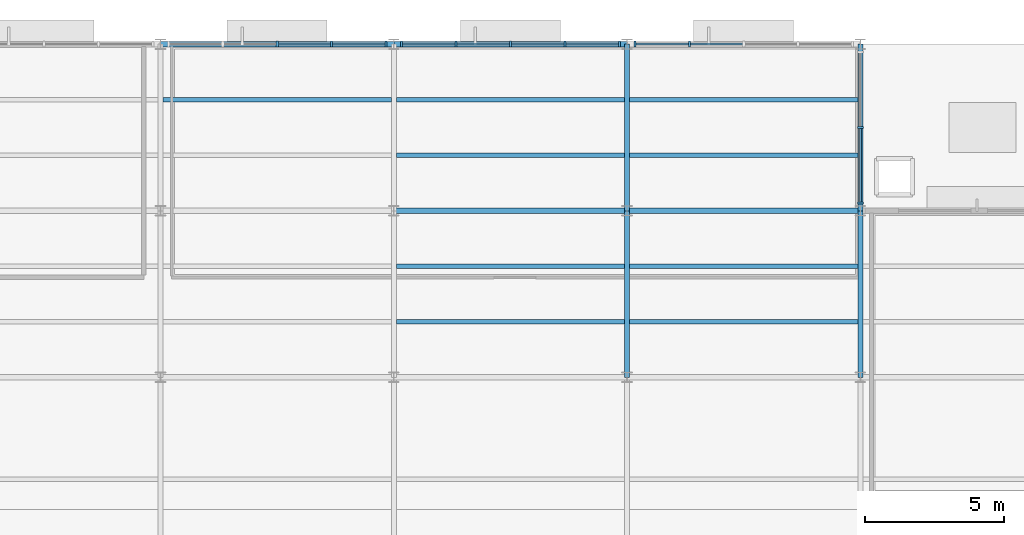
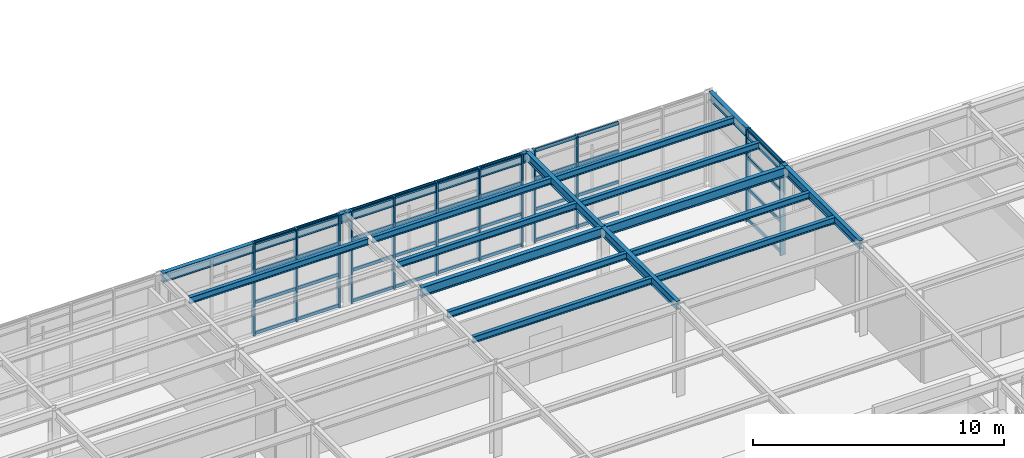
# One storey, part 36 of 82: 48 members, 17 beams, 4 elements without a shape of their own.
"""IFC4 building model written with IfcOpenShell, lengths in metres."""

from ifc_helpers import new_model, si_unit, direction, frame, origin, origin_2d, place, context, subcontext, project, spatial, rectangle, i_section, extrude, material, layer, layer_set, material_profile, profile_set, type_object, element, aggregate, save


model = new_model("IFC4")

# Units and contexts
model_context = context("Model", 3, precision=1e-05, world=origin(), true_north=direction((0.0, 1.0)))
body_context = subcontext(model_context, "Body", "Model", "MODEL_VIEW")
ifc_project = project(units=[si_unit("LENGTHUNIT", "METRE"), si_unit("AREAUNIT", "SQUARE_METRE"), si_unit("VOLUMEUNIT", "CUBIC_METRE"), si_unit("PLANEANGLEUNIT", "RADIAN"), si_unit("MASSUNIT", "GRAM", prefix="KILO")], contexts=[model_context])

# Site, building, storey
site_placement = place(None, origin())
site = spatial("IfcSite", under=ifc_project, at=site_placement, CompositionType="ELEMENT")
building_placement = place(site_placement, origin())
building = spatial("IfcBuilding", under=site, at=building_placement, Name="Sitalva Quay Ferry Terminal", CompositionType="ELEMENT")
storey_placement = place(building_placement, frame((0.0, 0.0, 5.39990234375)))
storey = spatial("IfcBuildingStorey", under=building, at=storey_placement, Name="L02", CompositionType="ELEMENT", Elevation=5.39990234375)

# Beams
ifc_material_1 = material(Name="Structural Steel S355JR", Category="steel")
ifc_material_profile_1 = material_profile(ifc_material_1, i_section(OverallWidth=0.180908203125, OverallDepth=0.4169921875, WebThickness=0.010986328125, FlangeThickness=0.018310546875, FilletRadius=0.012939453125, at=origin_2d()), Name="W410x85")
ifc_profile_set_1 = profile_set([ifc_material_profile_1], Name="Structural Steel S355JR")
beam_type_1 = type_object("IfcBeamType", Name="Beam_W410x85", PredefinedType="BEAM", material=ifc_profile_set_1)
for number, where, z_axis, x_axis, name in (
    (1, (109.199951171875, 100.0, 4.29150390625), (0.0, 1.0, 0.0), (-1.0, 0.0, 0.0), "L02 Primary Y girder 1032"),
    (2, (117.60009765625, 100.0, 4.29150390625), (0.0, 1.0, 0.0), (-1.0, 0.0, 0.0), "L02 Primary Y girder 1035"),
    (3, (109.199951171875, 106.0, 4.29150390625), (0.0, 1.0, 0.0), (-1.0, 0.0, 0.0), "L02 Primary Y girder 1173"),
    (4, (117.60009765625, 106.0, 4.29150390625), (0.0, 1.0, 0.0), (-1.0, 0.0, 0.0), "L02 Primary Y girder 1174"),
):
    element("IfcBeam", number, at=place(storey_placement, frame(where, z_axis=z_axis, x_axis=x_axis)), inside=storey, type_object=beam_type_1, Name=name, PredefinedType="BEAM", context=body_context, shape_type="SweptSolid", body=[
        extrude(i_section(OverallWidth=0.180908203125, OverallDepth=0.4169921875, WebThickness=0.010986328125, FlangeThickness=0.018310546875, FilletRadius=0.012939453125, at=origin_2d()), origin(), (0.0, 0.0, 1.0), 6.0),
    ])
ifc_material_2 = material(Name="Structural Steel S355JR", Category="steel")
ifc_material_profile_2 = material_profile(ifc_material_2, i_section(OverallWidth=0.19091796875, OverallDepth=0.4599609375, WebThickness=0.010009765625, FlangeThickness=0.01611328125, FilletRadius=0.013916015625, at=origin_2d()), Name="W460x82")
ifc_profile_set_2 = profile_set([ifc_material_profile_2], Name="Structural Steel S355JR")
beam_type_2 = type_object("IfcBeamType", Name="Beam_W460x82", PredefinedType="BEAM", material=ifc_profile_set_2)
beam_1_placement = place(storey_placement, frame((100.800048828125, 106.0, 4.27001953125), z_axis=(1.0, 0.0, 0.0), x_axis=(0.0, 1.0, 0.0)))
element("IfcBeam", 5, at=beam_1_placement, inside=storey, type_object=beam_type_2, Name="L02 Primary X girder 1015", PredefinedType="BEAM", context=body_context, shape_type="SweptSolid", body=[
    extrude(i_section(OverallWidth=0.19091796875, OverallDepth=0.4599609375, WebThickness=0.010009765625, FlangeThickness=0.01611328125, FilletRadius=0.013916015625, at=origin_2d()), origin(), (0.0, 0.0, 1.0), 8.39990234375),
])
for number, where, z_axis, x_axis, name in (
    (6, (109.199951171875, 106.0, 4.27001953125), (1.0, 0.0, 0.0), (0.0, 1.0, 0.0), "L02 Primary X girder 1016"),
    (7, (92.39990234375, 112.0, 4.27001953125), (1.0, 0.0, 0.0), (0.0, 1.0, 0.0), "L02 Primary X girder 1167"),
):
    element("IfcBeam", number, at=place(storey_placement, frame(where, z_axis=z_axis, x_axis=x_axis)), inside=storey, type_object=beam_type_2, Name=name, PredefinedType="BEAM", context=body_context, shape_type="SweptSolid", body=[
        extrude(i_section(OverallWidth=0.19091796875, OverallDepth=0.4599609375, WebThickness=0.010009765625, FlangeThickness=0.01611328125, FilletRadius=0.013916015625, at=origin_2d()), origin(), (0.0, 0.0, 1.0), 8.400146484375),
    ])
beam_2_placement = place(storey_placement, frame((100.800048828125, 112.0, 4.27001953125), z_axis=(1.0, 0.0, 0.0), x_axis=(0.0, 1.0, 0.0)))
element("IfcBeam", 8, at=beam_2_placement, inside=storey, type_object=beam_type_2, Name="L02 Primary X girder 1168", PredefinedType="BEAM", context=body_context, shape_type="SweptSolid", body=[
    extrude(i_section(OverallWidth=0.19091796875, OverallDepth=0.4599609375, WebThickness=0.010009765625, FlangeThickness=0.01611328125, FilletRadius=0.013916015625, at=origin_2d()), origin(), (0.0, 0.0, 1.0), 8.39990234375),
])
ifc_material_3 = material(Name="Structural Steel S355JR", Category="steel")
ifc_material_profile_3 = material_profile(ifc_material_3, i_section(OverallWidth=0.166015625, OverallDepth=0.31298828125, WebThickness=0.006591796875, FlangeThickness=0.01123046875, FilletRadius=0.010986328125, at=origin_2d()), Name="W310x45")
ifc_profile_set_3 = profile_set([ifc_material_profile_3], Name="Structural Steel S355JR")
beam_type_3 = type_object("IfcBeamType", Name="Joist_W310x45", PredefinedType="JOIST", material=ifc_profile_set_3)
beam_3_placement = place(storey_placement, frame((100.890380859375, 102.0, 4.343505859375), z_axis=(1.0, 0.0, 0.0), x_axis=(0.0, 1.0, 0.0)))
element("IfcBeam", 9, at=beam_3_placement, inside=storey, type_object=beam_type_3, Name="L02 Secondary joist 1060", PredefinedType="JOIST", context=body_context, shape_type="SweptSolid", body=[
    extrude(i_section(OverallWidth=0.166015625, OverallDepth=0.31298828125, WebThickness=0.006591796875, FlangeThickness=0.01123046875, FilletRadius=0.010986328125, at=origin_2d()), origin(), (0.0, 0.0, 1.0), 8.21923828125),
])
beam_4_placement = place(storey_placement, frame((109.29052734375, 102.0, 4.343505859375), z_axis=(1.0, 0.0, 0.0), x_axis=(0.0, 1.0, 0.0)))
element("IfcBeam", 10, at=beam_4_placement, inside=storey, type_object=beam_type_3, Name="L02 Secondary joist 1061", PredefinedType="JOIST", context=body_context, shape_type="SweptSolid", body=[
    extrude(i_section(OverallWidth=0.166015625, OverallDepth=0.31298828125, WebThickness=0.006591796875, FlangeThickness=0.01123046875, FilletRadius=0.010986328125, at=origin_2d()), origin(), (0.0, 0.0, 1.0), 8.218994140625),
])
beam_5_placement = place(storey_placement, frame((100.890380859375, 104.0, 4.343505859375), z_axis=(1.0, 0.0, 0.0), x_axis=(0.0, 1.0, 0.0)))
element("IfcBeam", 11, at=beam_5_placement, inside=storey, type_object=beam_type_3, Name="L02 Secondary joist 1066", PredefinedType="JOIST", context=body_context, shape_type="SweptSolid", body=[
    extrude(i_section(OverallWidth=0.166015625, OverallDepth=0.31298828125, WebThickness=0.006591796875, FlangeThickness=0.01123046875, FilletRadius=0.010986328125, at=origin_2d()), origin(), (0.0, 0.0, 1.0), 8.21923828125),
])
beam_6_placement = place(storey_placement, frame((109.29052734375, 104.0, 4.343505859375), z_axis=(1.0, 0.0, 0.0), x_axis=(0.0, 1.0, 0.0)))
element("IfcBeam", 12, at=beam_6_placement, inside=storey, type_object=beam_type_3, Name="L02 Secondary joist 1067", PredefinedType="JOIST", context=body_context, shape_type="SweptSolid", body=[
    extrude(i_section(OverallWidth=0.166015625, OverallDepth=0.31298828125, WebThickness=0.006591796875, FlangeThickness=0.01123046875, FilletRadius=0.010986328125, at=origin_2d()), origin(), (0.0, 0.0, 1.0), 8.218994140625),
])
beam_7_placement = place(storey_placement, frame((100.890380859375, 108.0, 4.343505859375), z_axis=(1.0, 0.0, 0.0), x_axis=(0.0, 1.0, 0.0)))
element("IfcBeam", 13, at=beam_7_placement, inside=storey, type_object=beam_type_3, Name="L02 Secondary joist 1178", PredefinedType="JOIST", context=body_context, shape_type="SweptSolid", body=[
    extrude(i_section(OverallWidth=0.166015625, OverallDepth=0.31298828125, WebThickness=0.006591796875, FlangeThickness=0.01123046875, FilletRadius=0.010986328125, at=origin_2d()), origin(), (0.0, 0.0, 1.0), 8.21923828125),
])
for number, where, z_axis, x_axis, name in (
    (14, (109.29052734375, 108.0, 4.343505859375), (1.0, 0.0, 0.0), (0.0, 1.0, 0.0), "L02 Secondary joist 1179"),
    (15, (92.490478515625, 110.0, 4.343505859375), (1.0, 0.0, 0.0), (0.0, 1.0, 0.0), "L02 Secondary joist 1182"),
):
    element("IfcBeam", number, at=place(storey_placement, frame(where, z_axis=z_axis, x_axis=x_axis)), inside=storey, type_object=beam_type_3, Name=name, PredefinedType="JOIST", context=body_context, shape_type="SweptSolid", body=[
        extrude(i_section(OverallWidth=0.166015625, OverallDepth=0.31298828125, WebThickness=0.006591796875, FlangeThickness=0.01123046875, FilletRadius=0.010986328125, at=origin_2d()), origin(), (0.0, 0.0, 1.0), 8.218994140625),
    ])
beam_8_placement = place(storey_placement, frame((100.890380859375, 110.0, 4.343505859375), z_axis=(1.0, 0.0, 0.0), x_axis=(0.0, 1.0, 0.0)))
element("IfcBeam", 16, at=beam_8_placement, inside=storey, type_object=beam_type_3, Name="L02 Secondary joist 1183", PredefinedType="JOIST", context=body_context, shape_type="SweptSolid", body=[
    extrude(i_section(OverallWidth=0.166015625, OverallDepth=0.31298828125, WebThickness=0.006591796875, FlangeThickness=0.01123046875, FilletRadius=0.010986328125, at=origin_2d()), origin(), (0.0, 0.0, 1.0), 8.21923828125),
])
beam_9_placement = place(storey_placement, frame((109.29052734375, 110.0, 4.343505859375), z_axis=(1.0, 0.0, 0.0), x_axis=(0.0, 1.0, 0.0)))
element("IfcBeam", 17, at=beam_9_placement, inside=storey, type_object=beam_type_3, Name="L02 Secondary joist 1184", PredefinedType="JOIST", context=body_context, shape_type="SweptSolid", body=[
    extrude(i_section(OverallWidth=0.166015625, OverallDepth=0.31298828125, WebThickness=0.006591796875, FlangeThickness=0.01123046875, FilletRadius=0.010986328125, at=origin_2d()), origin(), (0.0, 0.0, 1.0), 8.218994140625),
])

# Curtain wall, members
ifc_material_4 = material(Name="Anodised Aluminium & Low-E Glazing", Category="aluminium")
ifc_layer = layer(ifc_material_4, 0.159912109375)
ifc_layer_set = layer_set([ifc_layer], Name="Anodised Aluminium & Low-E Glazing")
curtain_wall_type = type_object("IfcCurtainWallType", Name="CW_Office_Unitised", PredefinedType="USERDEFINED", material=ifc_layer_set)
curtain_wall_1_placement = place(storey_placement, origin())
curtain_wall_1 = element("IfcCurtainWall", 18, at=curtain_wall_1_placement, inside=storey, type_object=curtain_wall_type, Name="L02 forecourt east return glazing (CW-L02-114)", ObjectType="CURTAIN_WALL", PredefinedType="USERDEFINED")
ifc_material_5 = material(Name="Anodised Aluminium 6063-T6", Category="aluminium")
ifc_material_profile_4 = material_profile(ifc_material_5, rectangle(XDim=0.074951171875, YDim=0.219970703125, at=origin_2d()), Name="ALU75x220")
ifc_profile_set_4 = profile_set([ifc_material_profile_4], Name="Anodised Aluminium 6063-T6")
member_type_1 = type_object("IfcMemberType", Name="Mullion_Alu_75x160", PredefinedType="MULLION", material=ifc_profile_set_4)
member_1_placement = place(storey_placement, frame((117.60009765625, 106.280029296875, 0.0), z_axis=(0.0, 0.0, 1.0), x_axis=(0.0, 1.0, 0.0)))
member_1 = element("IfcMember", 19, at=member_1_placement, type_object=member_type_1, Name="CW-L02-114-M0", PredefinedType="MULLION", context=body_context, shape_type="SweptSolid", body=[
    extrude(rectangle(XDim=0.074951171875, YDim=0.219970703125, at=origin_2d()), origin(), (0.0, 0.0, 1.0), 4.5),
])
member_2_placement = place(storey_placement, frame((117.60009765625, 109.0, 0.0), z_axis=(0.0, 0.0, 1.0), x_axis=(0.0, 1.0, 0.0)))
member_2 = element("IfcMember", 20, at=member_2_placement, type_object=member_type_1, Name="CW-L02-114-M1", PredefinedType="MULLION", context=body_context, shape_type="SweptSolid", body=[
    extrude(rectangle(XDim=0.074951171875, YDim=0.219970703125, at=origin_2d()), origin(), (0.0, 0.0, 1.0), 4.5),
])

curtain_wall_2_placement = place(storey_placement, origin())
curtain_wall_2 = element("IfcCurtainWall", 21, at=curtain_wall_2_placement, inside=storey, type_object=curtain_wall_type, Name="L02 forecourt horizontal curtain wall (CW-L02-121)", ObjectType="CURTAIN_WALL", PredefinedType="USERDEFINED")
member_3_placement = place(storey_placement, frame((96.60009765625, 112.0, 0.0), z_axis=(0.0, 0.0, 1.0), x_axis=(1.0, 0.0, 0.0)))
member_3 = element("IfcMember", 22, at=member_3_placement, type_object=member_type_1, Name="CW-L02-121-M2", PredefinedType="MULLION", context=body_context, shape_type="SweptSolid", body=[
    extrude(rectangle(XDim=0.074951171875, YDim=0.219970703125, at=origin_2d()), origin(), (0.0, 0.0, 1.0), 4.5),
])
member_4_placement = place(storey_placement, frame((98.56005859375, 112.0, 0.0), z_axis=(0.0, 0.0, 1.0), x_axis=(1.0, 0.0, 0.0)))
member_4 = element("IfcMember", 23, at=member_4_placement, type_object=member_type_1, Name="CW-L02-121-M3", PredefinedType="MULLION", context=body_context, shape_type="SweptSolid", body=[
    extrude(rectangle(XDim=0.074951171875, YDim=0.219970703125, at=origin_2d()), origin(), (0.0, 0.0, 1.0), 4.5),
])
member_5_placement = place(storey_placement, frame((100.52001953125, 112.0, 0.0), z_axis=(0.0, 0.0, 1.0), x_axis=(1.0, 0.0, 0.0)))
member_5 = element("IfcMember", 24, at=member_5_placement, type_object=member_type_1, Name="CW-L02-121-M4", PredefinedType="MULLION", context=body_context, shape_type="SweptSolid", body=[
    extrude(rectangle(XDim=0.074951171875, YDim=0.219970703125, at=origin_2d()), origin(), (0.0, 0.0, 1.0), 4.5),
])

curtain_wall_3_placement = place(storey_placement, origin())
curtain_wall_3 = element("IfcCurtainWall", 25, at=curtain_wall_3_placement, inside=storey, type_object=curtain_wall_type, Name="L02 forecourt horizontal curtain wall (CW-L02-122)", ObjectType="CURTAIN_WALL", PredefinedType="USERDEFINED")
member_6_placement = place(storey_placement, frame((101.080078125, 112.0, 0.0), z_axis=(0.0, 0.0, 1.0), x_axis=(1.0, 0.0, 0.0)))
member_6 = element("IfcMember", 26, at=member_6_placement, type_object=member_type_1, Name="CW-L02-122-M0", PredefinedType="MULLION", context=body_context, shape_type="SweptSolid", body=[
    extrude(rectangle(XDim=0.074951171875, YDim=0.219970703125, at=origin_2d()), origin(), (0.0, 0.0, 1.0), 4.5),
])
member_7_placement = place(storey_placement, frame((103.0400390625, 112.0, 0.0), z_axis=(0.0, 0.0, 1.0), x_axis=(1.0, 0.0, 0.0)))
member_7 = element("IfcMember", 27, at=member_7_placement, type_object=member_type_1, Name="CW-L02-122-M1", PredefinedType="MULLION", context=body_context, shape_type="SweptSolid", body=[
    extrude(rectangle(XDim=0.074951171875, YDim=0.219970703125, at=origin_2d()), origin(), (0.0, 0.0, 1.0), 4.5),
])
member_8_placement = place(storey_placement, frame((105.0, 112.0, 0.0), z_axis=(0.0, 0.0, 1.0), x_axis=(1.0, 0.0, 0.0)))
member_8 = element("IfcMember", 28, at=member_8_placement, type_object=member_type_1, Name="CW-L02-122-M2", PredefinedType="MULLION", context=body_context, shape_type="SweptSolid", body=[
    extrude(rectangle(XDim=0.074951171875, YDim=0.219970703125, at=origin_2d()), origin(), (0.0, 0.0, 1.0), 4.5),
])
member_9_placement = place(storey_placement, frame((106.9599609375, 112.0, 0.0), z_axis=(0.0, 0.0, 1.0), x_axis=(1.0, 0.0, 0.0)))
member_9 = element("IfcMember", 29, at=member_9_placement, type_object=member_type_1, Name="CW-L02-122-M3", PredefinedType="MULLION", context=body_context, shape_type="SweptSolid", body=[
    extrude(rectangle(XDim=0.074951171875, YDim=0.219970703125, at=origin_2d()), origin(), (0.0, 0.0, 1.0), 4.5),
])
member_10_placement = place(storey_placement, frame((108.919921875, 112.0, 0.0), z_axis=(0.0, 0.0, 1.0), x_axis=(1.0, 0.0, 0.0)))
member_10 = element("IfcMember", 30, at=member_10_placement, type_object=member_type_1, Name="CW-L02-122-M4", PredefinedType="MULLION", context=body_context, shape_type="SweptSolid", body=[
    extrude(rectangle(XDim=0.074951171875, YDim=0.219970703125, at=origin_2d()), origin(), (0.0, 0.0, 1.0), 4.5),
])

curtain_wall_4_placement = place(storey_placement, origin())
curtain_wall_4 = element("IfcCurtainWall", 31, at=curtain_wall_4_placement, inside=storey, type_object=curtain_wall_type, Name="L02 forecourt horizontal curtain wall (CW-L02-123)", ObjectType="CURTAIN_WALL", PredefinedType="USERDEFINED")
member_11_placement = place(storey_placement, frame((109.47998046875, 112.0, 0.0), z_axis=(0.0, 0.0, 1.0), x_axis=(1.0, 0.0, 0.0)))
member_11 = element("IfcMember", 32, at=member_11_placement, type_object=member_type_1, Name="CW-L02-123-M0", PredefinedType="MULLION", context=body_context, shape_type="SweptSolid", body=[
    extrude(rectangle(XDim=0.074951171875, YDim=0.219970703125, at=origin_2d()), origin(), (0.0, 0.0, 1.0), 4.5),
])
member_12_placement = place(storey_placement, frame((111.43994140625, 112.0, 0.0), z_axis=(0.0, 0.0, 1.0), x_axis=(1.0, 0.0, 0.0)))
member_12 = element("IfcMember", 33, at=member_12_placement, type_object=member_type_1, Name="CW-L02-123-M1", PredefinedType="MULLION", context=body_context, shape_type="SweptSolid", body=[
    extrude(rectangle(XDim=0.074951171875, YDim=0.219970703125, at=origin_2d()), origin(), (0.0, 0.0, 1.0), 4.5),
])

# Member
ifc_material_6 = material(Name="Anodised Aluminium 6063-T6", Category="aluminium")
ifc_material_profile_5 = material_profile(ifc_material_6, rectangle(XDim=0.074951171875, YDim=0.14990234375, at=origin_2d()), Name="ALU75x150")
ifc_profile_set_5 = profile_set([ifc_material_profile_5], Name="Anodised Aluminium 6063-T6")
member_type_2 = type_object("IfcMemberType", Name="Transom_Alu_75x140", PredefinedType="MULLION", material=ifc_profile_set_5)
member_13_placement = place(storey_placement, frame((117.60009765625, 106.3173828125, 0.0751953125), z_axis=(0.0, 1.0, 0.0), x_axis=(-1.0, 0.0, 0.0)))
member_13 = element("IfcMember", 34, at=member_13_placement, type_object=member_type_2, Name="CW-L02-114-T0-0", ObjectType="TRANSOM", PredefinedType="USERDEFINED", context=body_context, shape_type="SweptSolid", body=[
    extrude(rectangle(XDim=0.074951171875, YDim=0.14990234375, at=origin_2d()), origin(), (0.0, 0.0, 1.0), 2.64501953125),
])

member_14_placement = place(storey_placement, frame((117.60009765625, 106.3173828125, 1.5751953125), z_axis=(0.0, 1.0, 0.0), x_axis=(-1.0, 0.0, 0.0)))
member_14 = element("IfcMember", 35, at=member_14_placement, type_object=member_type_2, Name="CW-L02-114-T0-1", ObjectType="TRANSOM", PredefinedType="USERDEFINED", context=body_context, shape_type="SweptSolid", body=[
    extrude(rectangle(XDim=0.074951171875, YDim=0.14990234375, at=origin_2d()), origin(), (0.0, 0.0, 1.0), 2.64501953125),
])

member_15_placement = place(storey_placement, frame((117.60009765625, 106.3173828125, 3.0751953125), z_axis=(0.0, 1.0, 0.0), x_axis=(-1.0, 0.0, 0.0)))
member_15 = element("IfcMember", 36, at=member_15_placement, type_object=member_type_2, Name="CW-L02-114-T0-2", ObjectType="TRANSOM", PredefinedType="USERDEFINED", context=body_context, shape_type="SweptSolid", body=[
    extrude(rectangle(XDim=0.074951171875, YDim=0.14990234375, at=origin_2d()), origin(), (0.0, 0.0, 1.0), 2.64501953125),
])

member_16_placement = place(storey_placement, frame((117.60009765625, 106.3173828125, 4.425048828125), z_axis=(0.0, 1.0, 0.0), x_axis=(-1.0, 0.0, 0.0)))
member_16 = element("IfcMember", 37, at=member_16_placement, type_object=member_type_2, Name="CW-L02-114-T0-3", ObjectType="TRANSOM", PredefinedType="USERDEFINED", context=body_context, shape_type="SweptSolid", body=[
    extrude(rectangle(XDim=0.074951171875, YDim=0.14990234375, at=origin_2d()), origin(), (0.0, 0.0, 1.0), 2.64501953125),
])

aggregate(curtain_wall_1, [member_1, member_2, member_13, member_14, member_15, member_16])

member_17_placement = place(storey_placement, frame((96.637451171875, 112.0, 0.0751953125), z_axis=(1.0, 0.0, 0.0), x_axis=(0.0, 1.0, 0.0)))
member_17 = element("IfcMember", 38, at=member_17_placement, type_object=member_type_2, Name="CW-L02-121-T2-0", ObjectType="TRANSOM", PredefinedType="USERDEFINED", context=body_context, shape_type="SweptSolid", body=[
    extrude(rectangle(XDim=0.074951171875, YDim=0.14990234375, at=origin_2d()), origin(), (0.0, 0.0, 1.0), 1.885009765625),
])

member_18_placement = place(storey_placement, frame((96.637451171875, 112.0, 1.5751953125), z_axis=(1.0, 0.0, 0.0), x_axis=(0.0, 1.0, 0.0)))
member_18 = element("IfcMember", 39, at=member_18_placement, type_object=member_type_2, Name="CW-L02-121-T2-1", ObjectType="TRANSOM", PredefinedType="USERDEFINED", context=body_context, shape_type="SweptSolid", body=[
    extrude(rectangle(XDim=0.074951171875, YDim=0.14990234375, at=origin_2d()), origin(), (0.0, 0.0, 1.0), 1.885009765625),
])

member_19_placement = place(storey_placement, frame((96.637451171875, 112.0, 3.0751953125), z_axis=(1.0, 0.0, 0.0), x_axis=(0.0, 1.0, 0.0)))
member_19 = element("IfcMember", 40, at=member_19_placement, type_object=member_type_2, Name="CW-L02-121-T2-2", ObjectType="TRANSOM", PredefinedType="USERDEFINED", context=body_context, shape_type="SweptSolid", body=[
    extrude(rectangle(XDim=0.074951171875, YDim=0.14990234375, at=origin_2d()), origin(), (0.0, 0.0, 1.0), 1.885009765625),
])

member_20_placement = place(storey_placement, frame((96.637451171875, 112.0, 4.425048828125), z_axis=(1.0, 0.0, 0.0), x_axis=(0.0, 1.0, 0.0)))
member_20 = element("IfcMember", 41, at=member_20_placement, type_object=member_type_2, Name="CW-L02-121-T2-3", ObjectType="TRANSOM", PredefinedType="USERDEFINED", context=body_context, shape_type="SweptSolid", body=[
    extrude(rectangle(XDim=0.074951171875, YDim=0.14990234375, at=origin_2d()), origin(), (0.0, 0.0, 1.0), 1.885009765625),
])

member_21_placement = place(storey_placement, frame((98.597412109375, 112.0, 0.0751953125), z_axis=(1.0, 0.0, 0.0), x_axis=(0.0, 1.0, 0.0)))
member_21 = element("IfcMember", 42, at=member_21_placement, type_object=member_type_2, Name="CW-L02-121-T3-0", ObjectType="TRANSOM", PredefinedType="USERDEFINED", context=body_context, shape_type="SweptSolid", body=[
    extrude(rectangle(XDim=0.074951171875, YDim=0.14990234375, at=origin_2d()), origin(), (0.0, 0.0, 1.0), 1.885009765625),
])

member_22_placement = place(storey_placement, frame((98.597412109375, 112.0, 1.5751953125), z_axis=(1.0, 0.0, 0.0), x_axis=(0.0, 1.0, 0.0)))
member_22 = element("IfcMember", 43, at=member_22_placement, type_object=member_type_2, Name="CW-L02-121-T3-1", ObjectType="TRANSOM", PredefinedType="USERDEFINED", context=body_context, shape_type="SweptSolid", body=[
    extrude(rectangle(XDim=0.074951171875, YDim=0.14990234375, at=origin_2d()), origin(), (0.0, 0.0, 1.0), 1.885009765625),
])

member_23_placement = place(storey_placement, frame((98.597412109375, 112.0, 3.0751953125), z_axis=(1.0, 0.0, 0.0), x_axis=(0.0, 1.0, 0.0)))
member_23 = element("IfcMember", 44, at=member_23_placement, type_object=member_type_2, Name="CW-L02-121-T3-2", ObjectType="TRANSOM", PredefinedType="USERDEFINED", context=body_context, shape_type="SweptSolid", body=[
    extrude(rectangle(XDim=0.074951171875, YDim=0.14990234375, at=origin_2d()), origin(), (0.0, 0.0, 1.0), 1.885009765625),
])

member_24_placement = place(storey_placement, frame((98.597412109375, 112.0, 4.425048828125), z_axis=(1.0, 0.0, 0.0), x_axis=(0.0, 1.0, 0.0)))
member_24 = element("IfcMember", 45, at=member_24_placement, type_object=member_type_2, Name="CW-L02-121-T3-3", ObjectType="TRANSOM", PredefinedType="USERDEFINED", context=body_context, shape_type="SweptSolid", body=[
    extrude(rectangle(XDim=0.074951171875, YDim=0.14990234375, at=origin_2d()), origin(), (0.0, 0.0, 1.0), 1.885009765625),
])

aggregate(curtain_wall_2, [member_3, member_4, member_5, member_17, member_18, member_19, member_20, member_21, member_22, member_23, member_24])

member_25_placement = place(storey_placement, frame((101.117431640625, 112.0, 0.0751953125), z_axis=(1.0, 0.0, 0.0), x_axis=(0.0, 1.0, 0.0)))
member_25 = element("IfcMember", 46, at=member_25_placement, type_object=member_type_2, Name="CW-L02-122-T0-0", ObjectType="TRANSOM", PredefinedType="USERDEFINED", context=body_context, shape_type="SweptSolid", body=[
    extrude(rectangle(XDim=0.074951171875, YDim=0.14990234375, at=origin_2d()), origin(), (0.0, 0.0, 1.0), 1.885009765625),
])

member_26_placement = place(storey_placement, frame((101.117431640625, 112.0, 1.5751953125), z_axis=(1.0, 0.0, 0.0), x_axis=(0.0, 1.0, 0.0)))
member_26 = element("IfcMember", 47, at=member_26_placement, type_object=member_type_2, Name="CW-L02-122-T0-1", ObjectType="TRANSOM", PredefinedType="USERDEFINED", context=body_context, shape_type="SweptSolid", body=[
    extrude(rectangle(XDim=0.074951171875, YDim=0.14990234375, at=origin_2d()), origin(), (0.0, 0.0, 1.0), 1.885009765625),
])

member_27_placement = place(storey_placement, frame((101.117431640625, 112.0, 3.0751953125), z_axis=(1.0, 0.0, 0.0), x_axis=(0.0, 1.0, 0.0)))
member_27 = element("IfcMember", 48, at=member_27_placement, type_object=member_type_2, Name="CW-L02-122-T0-2", ObjectType="TRANSOM", PredefinedType="USERDEFINED", context=body_context, shape_type="SweptSolid", body=[
    extrude(rectangle(XDim=0.074951171875, YDim=0.14990234375, at=origin_2d()), origin(), (0.0, 0.0, 1.0), 1.885009765625),
])

member_28_placement = place(storey_placement, frame((101.117431640625, 112.0, 4.425048828125), z_axis=(1.0, 0.0, 0.0), x_axis=(0.0, 1.0, 0.0)))
member_28 = element("IfcMember", 49, at=member_28_placement, type_object=member_type_2, Name="CW-L02-122-T0-3", ObjectType="TRANSOM", PredefinedType="USERDEFINED", context=body_context, shape_type="SweptSolid", body=[
    extrude(rectangle(XDim=0.074951171875, YDim=0.14990234375, at=origin_2d()), origin(), (0.0, 0.0, 1.0), 1.885009765625),
])

member_29_placement = place(storey_placement, frame((103.077392578125, 112.0, 0.0751953125), z_axis=(1.0, 0.0, 0.0), x_axis=(0.0, 1.0, 0.0)))
member_29 = element("IfcMember", 50, at=member_29_placement, type_object=member_type_2, Name="CW-L02-122-T1-0", ObjectType="TRANSOM", PredefinedType="USERDEFINED", context=body_context, shape_type="SweptSolid", body=[
    extrude(rectangle(XDim=0.074951171875, YDim=0.14990234375, at=origin_2d()), origin(), (0.0, 0.0, 1.0), 1.885009765625),
])

member_30_placement = place(storey_placement, frame((103.077392578125, 112.0, 1.5751953125), z_axis=(1.0, 0.0, 0.0), x_axis=(0.0, 1.0, 0.0)))
member_30 = element("IfcMember", 51, at=member_30_placement, type_object=member_type_2, Name="CW-L02-122-T1-1", ObjectType="TRANSOM", PredefinedType="USERDEFINED", context=body_context, shape_type="SweptSolid", body=[
    extrude(rectangle(XDim=0.074951171875, YDim=0.14990234375, at=origin_2d()), origin(), (0.0, 0.0, 1.0), 1.885009765625),
])

member_31_placement = place(storey_placement, frame((103.077392578125, 112.0, 3.0751953125), z_axis=(1.0, 0.0, 0.0), x_axis=(0.0, 1.0, 0.0)))
member_31 = element("IfcMember", 52, at=member_31_placement, type_object=member_type_2, Name="CW-L02-122-T1-2", ObjectType="TRANSOM", PredefinedType="USERDEFINED", context=body_context, shape_type="SweptSolid", body=[
    extrude(rectangle(XDim=0.074951171875, YDim=0.14990234375, at=origin_2d()), origin(), (0.0, 0.0, 1.0), 1.885009765625),
])

member_32_placement = place(storey_placement, frame((103.077392578125, 112.0, 4.425048828125), z_axis=(1.0, 0.0, 0.0), x_axis=(0.0, 1.0, 0.0)))
member_32 = element("IfcMember", 53, at=member_32_placement, type_object=member_type_2, Name="CW-L02-122-T1-3", ObjectType="TRANSOM", PredefinedType="USERDEFINED", context=body_context, shape_type="SweptSolid", body=[
    extrude(rectangle(XDim=0.074951171875, YDim=0.14990234375, at=origin_2d()), origin(), (0.0, 0.0, 1.0), 1.885009765625),
])

member_33_placement = place(storey_placement, frame((105.03759765625, 112.0, 0.0751953125), z_axis=(1.0, 0.0, 0.0), x_axis=(0.0, 1.0, 0.0)))
member_33 = element("IfcMember", 54, at=member_33_placement, type_object=member_type_2, Name="CW-L02-122-T2-0", ObjectType="TRANSOM", PredefinedType="USERDEFINED", context=body_context, shape_type="SweptSolid", body=[
    extrude(rectangle(XDim=0.074951171875, YDim=0.14990234375, at=origin_2d()), origin(), (0.0, 0.0, 1.0), 1.885009765625),
])

member_34_placement = place(storey_placement, frame((105.03759765625, 112.0, 1.5751953125), z_axis=(1.0, 0.0, 0.0), x_axis=(0.0, 1.0, 0.0)))
member_34 = element("IfcMember", 55, at=member_34_placement, type_object=member_type_2, Name="CW-L02-122-T2-1", ObjectType="TRANSOM", PredefinedType="USERDEFINED", context=body_context, shape_type="SweptSolid", body=[
    extrude(rectangle(XDim=0.074951171875, YDim=0.14990234375, at=origin_2d()), origin(), (0.0, 0.0, 1.0), 1.885009765625),
])

member_35_placement = place(storey_placement, frame((105.03759765625, 112.0, 3.0751953125), z_axis=(1.0, 0.0, 0.0), x_axis=(0.0, 1.0, 0.0)))
member_35 = element("IfcMember", 56, at=member_35_placement, type_object=member_type_2, Name="CW-L02-122-T2-2", ObjectType="TRANSOM", PredefinedType="USERDEFINED", context=body_context, shape_type="SweptSolid", body=[
    extrude(rectangle(XDim=0.074951171875, YDim=0.14990234375, at=origin_2d()), origin(), (0.0, 0.0, 1.0), 1.885009765625),
])

member_36_placement = place(storey_placement, frame((105.03759765625, 112.0, 4.425048828125), z_axis=(1.0, 0.0, 0.0), x_axis=(0.0, 1.0, 0.0)))
member_36 = element("IfcMember", 57, at=member_36_placement, type_object=member_type_2, Name="CW-L02-122-T2-3", ObjectType="TRANSOM", PredefinedType="USERDEFINED", context=body_context, shape_type="SweptSolid", body=[
    extrude(rectangle(XDim=0.074951171875, YDim=0.14990234375, at=origin_2d()), origin(), (0.0, 0.0, 1.0), 1.885009765625),
])

member_37_placement = place(storey_placement, frame((106.99755859375, 112.0, 0.0751953125), z_axis=(1.0, 0.0, 0.0), x_axis=(0.0, 1.0, 0.0)))
member_37 = element("IfcMember", 58, at=member_37_placement, type_object=member_type_2, Name="CW-L02-122-T3-0", ObjectType="TRANSOM", PredefinedType="USERDEFINED", context=body_context, shape_type="SweptSolid", body=[
    extrude(rectangle(XDim=0.074951171875, YDim=0.14990234375, at=origin_2d()), origin(), (0.0, 0.0, 1.0), 1.885009765625),
])

member_38_placement = place(storey_placement, frame((106.99755859375, 112.0, 1.5751953125), z_axis=(1.0, 0.0, 0.0), x_axis=(0.0, 1.0, 0.0)))
member_38 = element("IfcMember", 59, at=member_38_placement, type_object=member_type_2, Name="CW-L02-122-T3-1", ObjectType="TRANSOM", PredefinedType="USERDEFINED", context=body_context, shape_type="SweptSolid", body=[
    extrude(rectangle(XDim=0.074951171875, YDim=0.14990234375, at=origin_2d()), origin(), (0.0, 0.0, 1.0), 1.885009765625),
])

member_39_placement = place(storey_placement, frame((106.99755859375, 112.0, 3.0751953125), z_axis=(1.0, 0.0, 0.0), x_axis=(0.0, 1.0, 0.0)))
member_39 = element("IfcMember", 60, at=member_39_placement, type_object=member_type_2, Name="CW-L02-122-T3-2", ObjectType="TRANSOM", PredefinedType="USERDEFINED", context=body_context, shape_type="SweptSolid", body=[
    extrude(rectangle(XDim=0.074951171875, YDim=0.14990234375, at=origin_2d()), origin(), (0.0, 0.0, 1.0), 1.885009765625),
])

member_40_placement = place(storey_placement, frame((106.99755859375, 112.0, 4.425048828125), z_axis=(1.0, 0.0, 0.0), x_axis=(0.0, 1.0, 0.0)))
member_40 = element("IfcMember", 61, at=member_40_placement, type_object=member_type_2, Name="CW-L02-122-T3-3", ObjectType="TRANSOM", PredefinedType="USERDEFINED", context=body_context, shape_type="SweptSolid", body=[
    extrude(rectangle(XDim=0.074951171875, YDim=0.14990234375, at=origin_2d()), origin(), (0.0, 0.0, 1.0), 1.885009765625),
])

aggregate(curtain_wall_3, [member_6, member_7, member_8, member_9, member_10, member_25, member_26, member_27, member_28, member_29, member_30, member_31, member_32, member_33, member_34, member_35, member_36, member_37, member_38, member_39, member_40])

member_41_placement = place(storey_placement, frame((109.517578125, 112.0, 0.0751953125), z_axis=(1.0, 0.0, 0.0), x_axis=(0.0, 1.0, 0.0)))
member_41 = element("IfcMember", 62, at=member_41_placement, type_object=member_type_2, Name="CW-L02-123-T0-0", ObjectType="TRANSOM", PredefinedType="USERDEFINED", context=body_context, shape_type="SweptSolid", body=[
    extrude(rectangle(XDim=0.074951171875, YDim=0.14990234375, at=origin_2d()), origin(), (0.0, 0.0, 1.0), 1.885009765625),
])

member_42_placement = place(storey_placement, frame((109.517578125, 112.0, 1.5751953125), z_axis=(1.0, 0.0, 0.0), x_axis=(0.0, 1.0, 0.0)))
member_42 = element("IfcMember", 63, at=member_42_placement, type_object=member_type_2, Name="CW-L02-123-T0-1", ObjectType="TRANSOM", PredefinedType="USERDEFINED", context=body_context, shape_type="SweptSolid", body=[
    extrude(rectangle(XDim=0.074951171875, YDim=0.14990234375, at=origin_2d()), origin(), (0.0, 0.0, 1.0), 1.885009765625),
])

member_43_placement = place(storey_placement, frame((109.517578125, 112.0, 3.0751953125), z_axis=(1.0, 0.0, 0.0), x_axis=(0.0, 1.0, 0.0)))
member_43 = element("IfcMember", 64, at=member_43_placement, type_object=member_type_2, Name="CW-L02-123-T0-2", ObjectType="TRANSOM", PredefinedType="USERDEFINED", context=body_context, shape_type="SweptSolid", body=[
    extrude(rectangle(XDim=0.074951171875, YDim=0.14990234375, at=origin_2d()), origin(), (0.0, 0.0, 1.0), 1.885009765625),
])

member_44_placement = place(storey_placement, frame((109.517578125, 112.0, 4.425048828125), z_axis=(1.0, 0.0, 0.0), x_axis=(0.0, 1.0, 0.0)))
member_44 = element("IfcMember", 65, at=member_44_placement, type_object=member_type_2, Name="CW-L02-123-T0-3", ObjectType="TRANSOM", PredefinedType="USERDEFINED", context=body_context, shape_type="SweptSolid", body=[
    extrude(rectangle(XDim=0.074951171875, YDim=0.14990234375, at=origin_2d()), origin(), (0.0, 0.0, 1.0), 1.885009765625),
])

member_45_placement = place(storey_placement, frame((111.4775390625, 112.0, 0.0751953125), z_axis=(1.0, 0.0, 0.0), x_axis=(0.0, 1.0, 0.0)))
member_45 = element("IfcMember", 66, at=member_45_placement, type_object=member_type_2, Name="CW-L02-123-T1-0", ObjectType="TRANSOM", PredefinedType="USERDEFINED", context=body_context, shape_type="SweptSolid", body=[
    extrude(rectangle(XDim=0.074951171875, YDim=0.14990234375, at=origin_2d()), origin(), (0.0, 0.0, 1.0), 1.885009765625),
])

member_46_placement = place(storey_placement, frame((111.4775390625, 112.0, 1.5751953125), z_axis=(1.0, 0.0, 0.0), x_axis=(0.0, 1.0, 0.0)))
member_46 = element("IfcMember", 67, at=member_46_placement, type_object=member_type_2, Name="CW-L02-123-T1-1", ObjectType="TRANSOM", PredefinedType="USERDEFINED", context=body_context, shape_type="SweptSolid", body=[
    extrude(rectangle(XDim=0.074951171875, YDim=0.14990234375, at=origin_2d()), origin(), (0.0, 0.0, 1.0), 1.885009765625),
])

member_47_placement = place(storey_placement, frame((111.4775390625, 112.0, 3.0751953125), z_axis=(1.0, 0.0, 0.0), x_axis=(0.0, 1.0, 0.0)))
member_47 = element("IfcMember", 68, at=member_47_placement, type_object=member_type_2, Name="CW-L02-123-T1-2", ObjectType="TRANSOM", PredefinedType="USERDEFINED", context=body_context, shape_type="SweptSolid", body=[
    extrude(rectangle(XDim=0.074951171875, YDim=0.14990234375, at=origin_2d()), origin(), (0.0, 0.0, 1.0), 1.885009765625),
])

member_48_placement = place(storey_placement, frame((111.4775390625, 112.0, 4.425048828125), z_axis=(1.0, 0.0, 0.0), x_axis=(0.0, 1.0, 0.0)))
member_48 = element("IfcMember", 69, at=member_48_placement, type_object=member_type_2, Name="CW-L02-123-T1-3", ObjectType="TRANSOM", PredefinedType="USERDEFINED", context=body_context, shape_type="SweptSolid", body=[
    extrude(rectangle(XDim=0.074951171875, YDim=0.14990234375, at=origin_2d()), origin(), (0.0, 0.0, 1.0), 1.885009765625),
])

aggregate(curtain_wall_4, [member_11, member_12, member_41, member_42, member_43, member_44, member_45, member_46, member_47, member_48])

save(model, "model.ifc")
